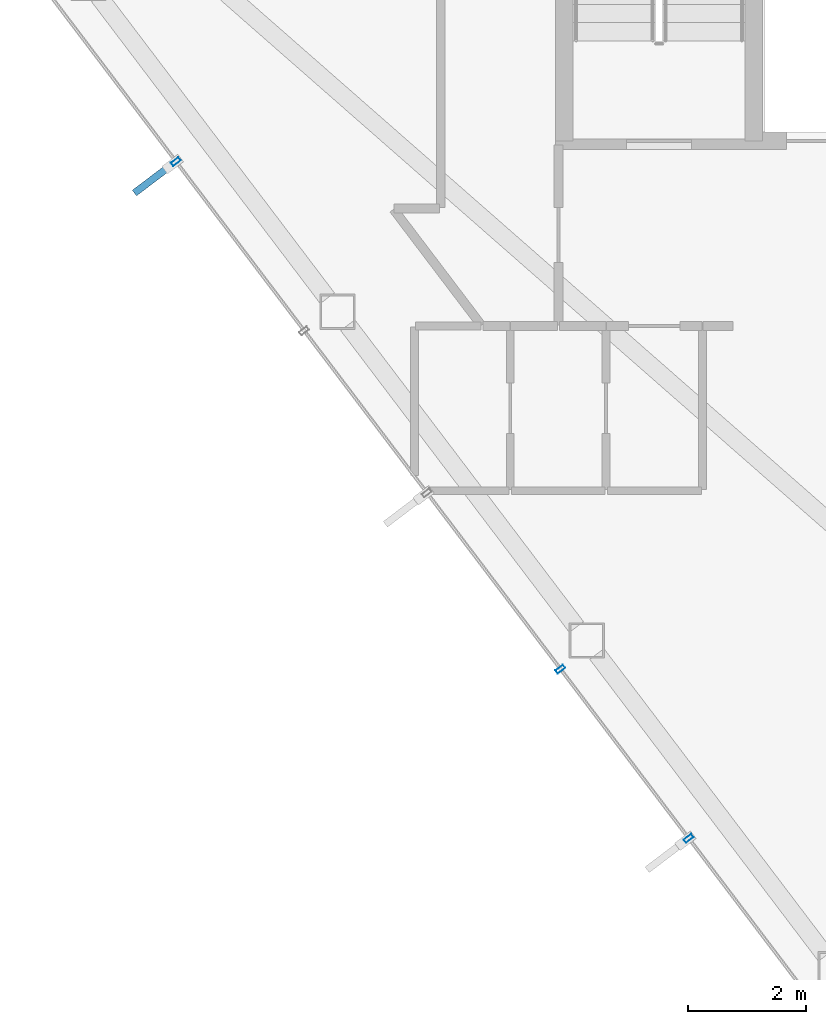
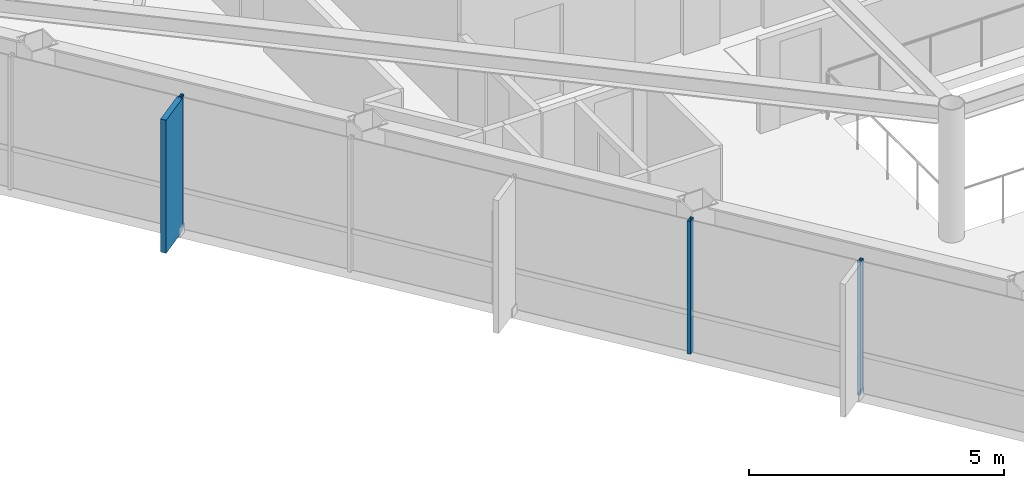
# One storey, part 2 of 25: 4 members, 1 element without a shape of its own.
"""IFC4 building model written with IfcOpenShell, lengths in metres."""

from ifc_helpers import new_model, si_unit, direction, frame, origin, origin_2d, place, context, subcontext, project, spatial, rectangle, hollow_rectangle, extrude, material, layer, layer_set, material_profile, profile_set, type_object, element, aggregate, save


model = new_model("IFC4")

# Units and contexts
model_context = context("Model", 3, precision=1e-05, world=origin(), true_north=direction((0.0, 1.0)))
body_context = subcontext(model_context, "Body", "Model", "MODEL_VIEW")
ifc_project = project(units=[si_unit("LENGTHUNIT", "METRE"), si_unit("AREAUNIT", "SQUARE_METRE"), si_unit("VOLUMEUNIT", "CUBIC_METRE"), si_unit("PLANEANGLEUNIT", "RADIAN"), si_unit("MASSUNIT", "GRAM", prefix="KILO")], contexts=[model_context])

# Site, building, storey
site_placement = place(None, origin())
site = spatial("IfcSite", under=ifc_project, at=site_placement, CompositionType="ELEMENT")
building_placement = place(site_placement, origin())
building = spatial("IfcBuilding", under=site, at=building_placement, Name="Zarrinselat Tower", CompositionType="ELEMENT")
storey_placement = place(building_placement, frame((0.0, 0.0, 239.360107421875)))
storey = spatial("IfcBuildingStorey", under=building, at=storey_placement, Name="L60", CompositionType="ELEMENT", Elevation=239.360107421875)

# Curtain wall, members
ifc_material_1 = material(Name="Extruded Aluminium Alloy EN AW-6063 T6", Category="aluminium")
ifc_layer = layer(ifc_material_1, 0.169921875)
ifc_layer_set = layer_set([ifc_layer], Name="Extruded Aluminium Alloy EN AW-6063 T6")
curtain_wall_type = type_object("IfcCurtainWallType", Name="CWS-RES", PredefinedType="NOTDEFINED", material=ifc_layer_set)
curtain_wall_placement = place(storey_placement, origin())
curtain_wall = element("IfcCurtainWall", 1, at=curtain_wall_placement, inside=storey, type_object=curtain_wall_type, Name="L60 Unitised Curtain Wall CW-L60-E03", PredefinedType="NOTDEFINED")
ifc_material_2 = material(Name="Extruded Aluminium Alloy EN AW-6063 T6", Category="aluminium")
ifc_material_profile_1 = material_profile(ifc_material_2, hollow_rectangle(XDim=0.070068359375, YDim=0.159912109375, WallThickness=0.00390625, at=origin_2d()), Name="RHS 160x70x4")
ifc_profile_set_1 = profile_set([ifc_material_profile_1], Name="Extruded Aluminium Alloy EN AW-6063 T6")
member_type_1 = type_object("IfcMemberType", Name="MEM-CW-MUL2", PredefinedType="MULLION", material=ifc_profile_set_1)
member_1_placement = place(storey_placement, frame((22.04541015625, 32.94580078125, 0.0), z_axis=(0.0, 0.0, 1.0), x_axis=(0.603857888062, -0.797091996588, 0.0)))
member_1 = element("IfcMember", 2, at=member_1_placement, type_object=member_type_1, Name="CW-L60-E03 Mullion 3", PredefinedType="MULLION", context=body_context, shape_type="SweptSolid", body=[
    extrude(hollow_rectangle(XDim=0.070068359375, YDim=0.159912109375, WallThickness=0.00390625, at=origin_2d()), origin(), (0.0, 0.0, 1.0), 3.179931640625),
])
member_2_placement = place(storey_placement, frame((28.583251953125, 24.31591796875, 0.0), z_axis=(0.0, 0.0, 1.0), x_axis=(0.603857888062, -0.797091996588, 0.0)))
member_2 = element("IfcMember", 3, at=member_2_placement, type_object=member_type_1, Name="CW-L60-E03 Mullion 6", PredefinedType="MULLION", context=body_context, shape_type="SweptSolid", body=[
    extrude(hollow_rectangle(XDim=0.070068359375, YDim=0.159912109375, WallThickness=0.00390625, at=origin_2d()), origin(), (0.0, 0.0, 1.0), 3.179931640625),
])
member_3_placement = place(storey_placement, frame((30.762451171875, 21.439208984375, 0.0), z_axis=(0.0, 0.0, 1.0), x_axis=(0.603857888062, -0.797091996588, 0.0)))
member_3 = element("IfcMember", 4, at=member_3_placement, type_object=member_type_1, Name="CW-L60-E03 Mullion 7", PredefinedType="MULLION", context=body_context, shape_type="SweptSolid", body=[
    extrude(hollow_rectangle(XDim=0.070068359375, YDim=0.159912109375, WallThickness=0.00390625, at=origin_2d()), origin(), (0.0, 0.0, 1.0), 3.179931640625),
])
ifc_material_3 = material(Name="Honed Cream Travertine Stone", Category="masonry")
ifc_material_profile_2 = material_profile(ifc_material_3, rectangle(XDim=0.1201171875, YDim=0.85009765625, at=origin_2d()), Name="FIN 850x120")
ifc_profile_set_2 = profile_set([ifc_material_profile_2], Name="Honed Cream Travertine Stone")
member_type_2 = type_object("IfcMemberType", Name="MEM-STONE-FIN", PredefinedType="USERDEFINED", material=ifc_profile_set_2)
member_4_placement = place(storey_placement, frame((21.6787109375, 32.66796875, 0.0), z_axis=(0.0, 0.0, 1.0), x_axis=(-0.603857888062, 0.797091996588, 0.0)))
member_4 = element("IfcMember", 5, at=member_4_placement, type_object=member_type_2, Name="L60 Stone Shading Fin CW-L60-E03-03", ObjectType="FIN", PredefinedType="USERDEFINED", context=body_context, shape_type="SweptSolid", body=[
    extrude(rectangle(XDim=0.1201171875, YDim=0.85009765625, at=origin_2d()), origin(), (0.0, 0.0, 1.0), 3.179931640625),
])
aggregate(curtain_wall, [member_1, member_4, member_2, member_3])

save(model, "model.ifc")
